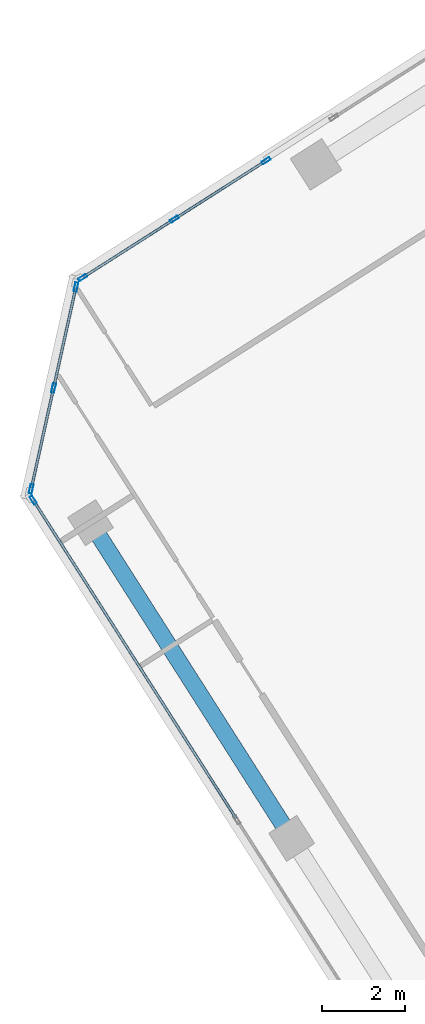
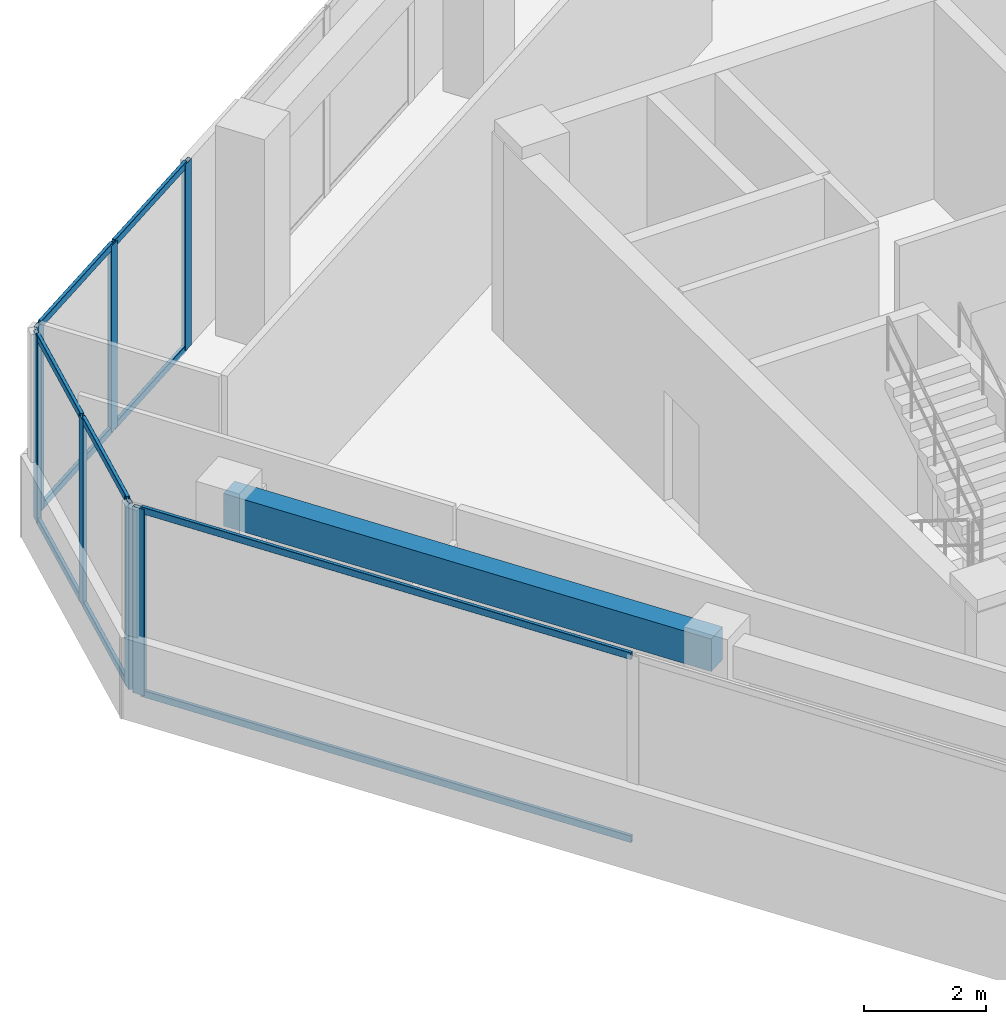
# One storey, part 4 of 15: 17 members, 1 beam, 3 elements without a shape of their own.
"""IFC4 building model written with IfcOpenShell, lengths in metres."""

from ifc_helpers import new_model, si_unit, direction, frame, origin, origin_2d, place, context, subcontext, project, spatial, rectangle, hollow_rectangle, extrude, source, transform, mapped, material, material_profile, profile_set, type_object, element, aggregate, save


model = new_model("IFC4")

# Units and contexts
model_context = context("Model", 3, precision=1e-05, world=origin(), true_north=direction((0.0, 1.0)))
body_context = subcontext(model_context, "Body", "Model", "MODEL_VIEW")
ifc_project = project(units=[si_unit("LENGTHUNIT", "METRE"), si_unit("AREAUNIT", "SQUARE_METRE"), si_unit("VOLUMEUNIT", "CUBIC_METRE"), si_unit("PLANEANGLEUNIT", "RADIAN"), si_unit("MASSUNIT", "GRAM", prefix="KILO")], contexts=[model_context])

# Site, building, storey
site_placement = place(None, origin())
site = spatial("IfcSite", under=ifc_project, at=site_placement, CompositionType="ELEMENT")
building_placement = place(site_placement, origin())
building = spatial("IfcBuilding", under=site, at=building_placement, Name="Torre Montelarca", CompositionType="ELEMENT")
storey_placement = place(building_placement, frame((0.0, 0.0, 311.39990234375)))
storey = spatial("IfcBuildingStorey", under=building, at=storey_placement, Name="L70", CompositionType="ELEMENT", Elevation=311.39990234375)

# Beam
ifc_material_1 = material(Name="Concrete C40/50", Category="concrete")
ifc_material_profile_1 = material_profile(ifc_material_1, rectangle(XDim=0.39990234375, YDim=0.64990234375, at=origin_2d()), Name="RCB400X650", Category="concrete")
ifc_profile_set_1 = profile_set([ifc_material_profile_1], Name="Concrete C40/50")
beam_type = type_object("IfcBeamType", Name="BM-SP-RC650-EXT", PredefinedType="SPANDREL", material=ifc_profile_set_1)
shared_shape_1 = source(origin(), body_context, "Body", "SweptSolid", [
    extrude(rectangle(XDim=0.39990234375, YDim=0.64990234375, at=origin_2d()), origin(), (0.0, 0.0, 1.0), 9.0),
])
beam_placement = place(storey_placement, frame((0.27734375, 33.30078125, 3.635009765625), z_axis=(0.5372966855, -0.843393307865, 0.0), x_axis=(0.843393307865, 0.5372966855, 0.0)))
element("IfcBeam", 1, at=beam_placement, inside=storey, type_object=beam_type, Name="L70 Grid Girder X 9.0-18.0 at Y=14.8", PredefinedType="SPANDREL", context=body_context, shape_type="MappedRepresentation", body=[
    mapped(shared_shape_1, transform((0.0, 0.0, 0.0), scale=1.0)),
])

# Curtain wall, member
ifc_material_2 = material(Name="Insulated low-E laminated glass", Category="glass")
curtain_wall_type = type_object("IfcCurtainWallType", Name="CW-SYS-Z4", PredefinedType="USERDEFINED", material=ifc_material_2)
curtain_wall_1_placement = place(storey_placement, origin())
curtain_wall_1 = element("IfcCurtainWall", 2, at=curtain_wall_1_placement, inside=storey, type_object=curtain_wall_type, Name="L70 Curtain Wall Run CW-T3-L70-E01-B1", ObjectType="UNITISED GLAZING", PredefinedType="USERDEFINED")
ifc_material_3 = material(Name="Anodised aluminium AA 6063-T6", Category="aluminium")
ifc_material_profile_2 = material_profile(ifc_material_3, hollow_rectangle(XDim=0.074951171875, YDim=0.219970703125, WallThickness=0.0048828125, InnerFilletRadius=0.0048828125, OuterFilletRadius=0.010009765625, at=origin_2d()), Name="ALU75X220X5", Category="aluminium")
ifc_profile_set_2 = profile_set([ifc_material_profile_2], Name="Anodised aluminium AA 6063-T6")
member_type_1 = type_object("IfcMemberType", Name="CWM-ALU220", PredefinedType="MULLION", material=ifc_profile_set_2)
shared_shape_2 = source(origin(), body_context, "Body", "SweptSolid", [
    extrude(hollow_rectangle(XDim=0.074951171875, YDim=0.219970703125, WallThickness=0.0048828125, InnerFilletRadius=0.0048828125, OuterFilletRadius=0.010009765625, at=origin_2d()), origin(), (0.0, 0.0, 1.0), 3.72021484375),
])
member_1_placement = place(storey_placement, frame((-1.099365234375, 33.8427734375, 0.0), z_axis=(0.0, 0.0, 1.0), x_axis=(0.843389857864, 0.537302100919, 0.0)))
member_1 = element("IfcMember", 3, at=member_1_placement, type_object=member_type_1, Name="CW mullion 1", PredefinedType="MULLION", context=body_context, shape_type="MappedRepresentation", body=[
    mapped(shared_shape_2, transform((0.0, 0.0, 0.0), scale=1.0)),
])

# Curtain wall, members
curtain_wall_2_placement = place(storey_placement, origin())
curtain_wall_2 = element("IfcCurtainWall", 4, at=curtain_wall_2_placement, inside=storey, type_object=curtain_wall_type, Name="L70 Curtain Wall Run CW-T3-L70-E10-B3", ObjectType="UNITISED GLAZING", PredefinedType="USERDEFINED")
member_2_placement = place(storey_placement, frame((4.49658203125, 42.0, 0.0), z_axis=(0.0, 0.0, 1.0), x_axis=(0.537295074047, -0.843394334463, 0.0)))
member_2 = element("IfcMember", 5, at=member_2_placement, type_object=member_type_1, Name="CW mullion 1", PredefinedType="MULLION", context=body_context, shape_type="MappedRepresentation", body=[
    mapped(shared_shape_2, transform((0.0, 0.0, 0.0), scale=1.0)),
])
member_3_placement = place(storey_placement, frame((2.29150390625, 40.59521484375, 0.0), z_axis=(0.0, 0.0, 1.0), x_axis=(0.537295074047, -0.843394334463, 0.0)))
member_3 = element("IfcMember", 6, at=member_3_placement, type_object=member_type_1, Name="CW mullion 2", PredefinedType="MULLION", context=body_context, shape_type="MappedRepresentation", body=[
    mapped(shared_shape_2, transform((0.0, 0.0, 0.0), scale=1.0)),
])
member_4_placement = place(storey_placement, frame((0.08642578125, 39.1904296875, 0.0), z_axis=(0.0, 0.0, 1.0), x_axis=(0.537295074047, -0.843394334463, 0.0)))
member_4 = element("IfcMember", 7, at=member_4_placement, type_object=member_type_1, Name="CW mullion 3", PredefinedType="MULLION", context=body_context, shape_type="MappedRepresentation", body=[
    mapped(shared_shape_2, transform((0.0, 0.0, 0.0), scale=1.0)),
])

curtain_wall_3_placement = place(storey_placement, origin())
curtain_wall_3 = element("IfcCurtainWall", 8, at=curtain_wall_3_placement, inside=storey, type_object=curtain_wall_type, Name="L70 Curtain Wall Run CW-T3-L70-E11-B1", ObjectType="UNITISED GLAZING", PredefinedType="USERDEFINED")
member_5_placement = place(storey_placement, frame((-0.072021484375, 38.96435546875, 0.0), z_axis=(0.0, 0.0, 1.0), x_axis=(0.976291005572, -0.216462173228, 0.0)))
member_5 = element("IfcMember", 9, at=member_5_placement, type_object=member_type_1, Name="CW mullion 1", PredefinedType="MULLION", context=body_context, shape_type="MappedRepresentation", body=[
    mapped(shared_shape_2, transform((0.0, 0.0, 0.0), scale=1.0)),
])
member_6_placement = place(storey_placement, frame((-0.609619140625, 36.53955078125, 0.0), z_axis=(0.0, 0.0, 1.0), x_axis=(0.976291005572, -0.216462173228, 0.0)))
member_6 = element("IfcMember", 10, at=member_6_placement, type_object=member_type_1, Name="CW mullion 2", PredefinedType="MULLION", context=body_context, shape_type="MappedRepresentation", body=[
    mapped(shared_shape_2, transform((0.0, 0.0, 0.0), scale=1.0)),
])
member_7_placement = place(storey_placement, frame((-1.147216796875, 34.114501953125, 0.0), z_axis=(0.0, 0.0, 1.0), x_axis=(0.976291005572, -0.216462173228, 0.0)))
member_7 = element("IfcMember", 11, at=member_7_placement, type_object=member_type_1, Name="CW mullion 3", PredefinedType="MULLION", context=body_context, shape_type="MappedRepresentation", body=[
    mapped(shared_shape_2, transform((0.0, 0.0, 0.0), scale=1.0)),
])
ifc_material_profile_3 = material_profile(ifc_material_3, hollow_rectangle(XDim=0.06494140625, YDim=0.139892578125, WallThickness=0.00390625, InnerFilletRadius=0.00390625, OuterFilletRadius=0.008056640625, at=origin_2d()), Name="ALU65X140X4", Category="aluminium")
ifc_profile_set_3 = profile_set([ifc_material_profile_3], Name="Anodised aluminium AA 6063-T6")
member_type_2 = type_object("IfcMemberType", Name="CWT-ALU140", PredefinedType="USERDEFINED", material=ifc_profile_set_3)
shared_shape_3 = source(origin(), body_context, "Body", "SweptSolid", [
    extrude(hollow_rectangle(XDim=0.06494140625, YDim=0.139892578125, WallThickness=0.00390625, InnerFilletRadius=0.00390625, OuterFilletRadius=0.008056640625, at=origin_2d()), origin(), (0.0, 0.0, 1.0), 2.40869140625),
])
member_8_placement = place(storey_placement, frame((-0.080078125, 38.927734375, 0.03271484375), z_axis=(-0.216501154976, -0.976282361765, 0.0), x_axis=(0.976282361765, -0.216501154976, 0.0)))
member_8 = element("IfcMember", 12, at=member_8_placement, type_object=member_type_2, Name="CW transom 1.1", ObjectType="TRANSOM", PredefinedType="USERDEFINED", context=body_context, shape_type="MappedRepresentation", body=[
    mapped(shared_shape_3, transform((0.0, 0.0, 0.0), scale=1.0)),
])
member_9_placement = place(storey_placement, frame((-0.080078125, 38.927734375, 3.6875), z_axis=(-0.216501154976, -0.976282361765, 0.0), x_axis=(0.976282361765, -0.216501154976, 0.0)))
member_9 = element("IfcMember", 13, at=member_9_placement, type_object=member_type_2, Name="CW transom 1.2", ObjectType="TRANSOM", PredefinedType="USERDEFINED", context=body_context, shape_type="MappedRepresentation", body=[
    mapped(shared_shape_3, transform((0.0, 0.0, 0.0), scale=1.0)),
])
shared_shape_4 = source(origin(), body_context, "Body", "SweptSolid", [
    extrude(hollow_rectangle(XDim=0.06494140625, YDim=0.139892578125, WallThickness=0.00390625, InnerFilletRadius=0.00390625, OuterFilletRadius=0.008056640625, at=origin_2d()), origin(), (0.0, 0.0, 1.0), 2.408935546875),
])
member_10_placement = place(storey_placement, frame((-0.61767578125, 36.5029296875, 0.03271484375), z_axis=(-0.216479733336, -0.976287111999, 0.0), x_axis=(0.976287111999, -0.216479733336, 0.0)))
member_10 = element("IfcMember", 14, at=member_10_placement, type_object=member_type_2, Name="CW transom 2.1", ObjectType="TRANSOM", PredefinedType="USERDEFINED", context=body_context, shape_type="MappedRepresentation", body=[
    mapped(shared_shape_4, transform((0.0, 0.0, 0.0), scale=1.0)),
])
member_11_placement = place(storey_placement, frame((-0.61767578125, 36.5029296875, 3.6875), z_axis=(-0.216479733336, -0.976287111999, 0.0), x_axis=(0.976287111999, -0.216479733336, 0.0)))
member_11 = element("IfcMember", 15, at=member_11_placement, type_object=member_type_2, Name="CW transom 2.2", ObjectType="TRANSOM", PredefinedType="USERDEFINED", context=body_context, shape_type="MappedRepresentation", body=[
    mapped(shared_shape_4, transform((0.0, 0.0, 0.0), scale=1.0)),
])
aggregate(curtain_wall_3, [member_5, member_6, member_7, member_8, member_9, member_10, member_11])

# Member
shared_shape_5 = source(origin(), body_context, "Body", "SweptSolid", [
    extrude(hollow_rectangle(XDim=0.06494140625, YDim=0.139892578125, WallThickness=0.00390625, InnerFilletRadius=0.00390625, OuterFilletRadius=0.008056640625, at=origin_2d()), origin(), (0.0, 0.0, 1.0), 9.03955078125),
])
member_12_placement = place(storey_placement, frame((-1.0791015625, 33.81103515625, 0.03271484375), z_axis=(0.537291345657, -0.84339670967, 0.0), x_axis=(0.84339670967, 0.537291345657, 0.0)))
member_12 = element("IfcMember", 16, at=member_12_placement, type_object=member_type_2, Name="CW transom 1.1", ObjectType="TRANSOM", PredefinedType="USERDEFINED", context=body_context, shape_type="MappedRepresentation", body=[
    mapped(shared_shape_5, transform((0.0, 0.0, 0.0), scale=1.0)),
])

member_13_placement = place(storey_placement, frame((-1.0791015625, 33.81103515625, 3.6875), z_axis=(0.537291345657, -0.84339670967, 0.0), x_axis=(0.84339670967, 0.537291345657, 0.0)))
member_13 = element("IfcMember", 17, at=member_13_placement, type_object=member_type_2, Name="CW transom 1.2", ObjectType="TRANSOM", PredefinedType="USERDEFINED", context=body_context, shape_type="MappedRepresentation", body=[
    mapped(shared_shape_5, transform((0.0, 0.0, 0.0), scale=1.0)),
])

aggregate(curtain_wall_1, [member_1, member_12, member_13])

shared_shape_6 = source(origin(), body_context, "Body", "SweptSolid", [
    extrude(hollow_rectangle(XDim=0.06494140625, YDim=0.139892578125, WallThickness=0.00390625, InnerFilletRadius=0.00390625, OuterFilletRadius=0.008056640625, at=origin_2d()), origin(), (0.0, 0.0, 1.0), 2.53955078125),
])
member_14_placement = place(storey_placement, frame((4.46484375, 41.97998046875, 0.03271484375), z_axis=(-0.84339220374, -0.537298418637, 0.0), x_axis=(0.537298418637, -0.84339220374, 0.0)))
member_14 = element("IfcMember", 18, at=member_14_placement, type_object=member_type_2, Name="CW transom 1.1", ObjectType="TRANSOM", PredefinedType="USERDEFINED", context=body_context, shape_type="MappedRepresentation", body=[
    mapped(shared_shape_6, transform((0.0, 0.0, 0.0), scale=1.0)),
])

member_15_placement = place(storey_placement, frame((4.46484375, 41.97998046875, 3.6875), z_axis=(-0.84339220374, -0.537298418637, 0.0), x_axis=(0.537298418637, -0.84339220374, 0.0)))
member_15 = element("IfcMember", 19, at=member_15_placement, type_object=member_type_2, Name="CW transom 1.2", ObjectType="TRANSOM", PredefinedType="USERDEFINED", context=body_context, shape_type="MappedRepresentation", body=[
    mapped(shared_shape_6, transform((0.0, 0.0, 0.0), scale=1.0)),
])

member_16_placement = place(storey_placement, frame((2.259765625, 40.5751953125, 0.03271484375), z_axis=(-0.84339220374, -0.537298418637, 0.0), x_axis=(0.537298418637, -0.84339220374, 0.0)))
member_16 = element("IfcMember", 20, at=member_16_placement, type_object=member_type_2, Name="CW transom 2.1", ObjectType="TRANSOM", PredefinedType="USERDEFINED", context=body_context, shape_type="MappedRepresentation", body=[
    mapped(shared_shape_6, transform((0.0, 0.0, 0.0), scale=1.0)),
])

member_17_placement = place(storey_placement, frame((2.259765625, 40.5751953125, 3.6875), z_axis=(-0.84339220374, -0.537298418637, 0.0), x_axis=(0.537298418637, -0.84339220374, 0.0)))
member_17 = element("IfcMember", 21, at=member_17_placement, type_object=member_type_2, Name="CW transom 2.2", ObjectType="TRANSOM", PredefinedType="USERDEFINED", context=body_context, shape_type="MappedRepresentation", body=[
    mapped(shared_shape_6, transform((0.0, 0.0, 0.0), scale=1.0)),
])

aggregate(curtain_wall_2, [member_2, member_3, member_4, member_14, member_15, member_16, member_17])

save(model, "model.ifc")
